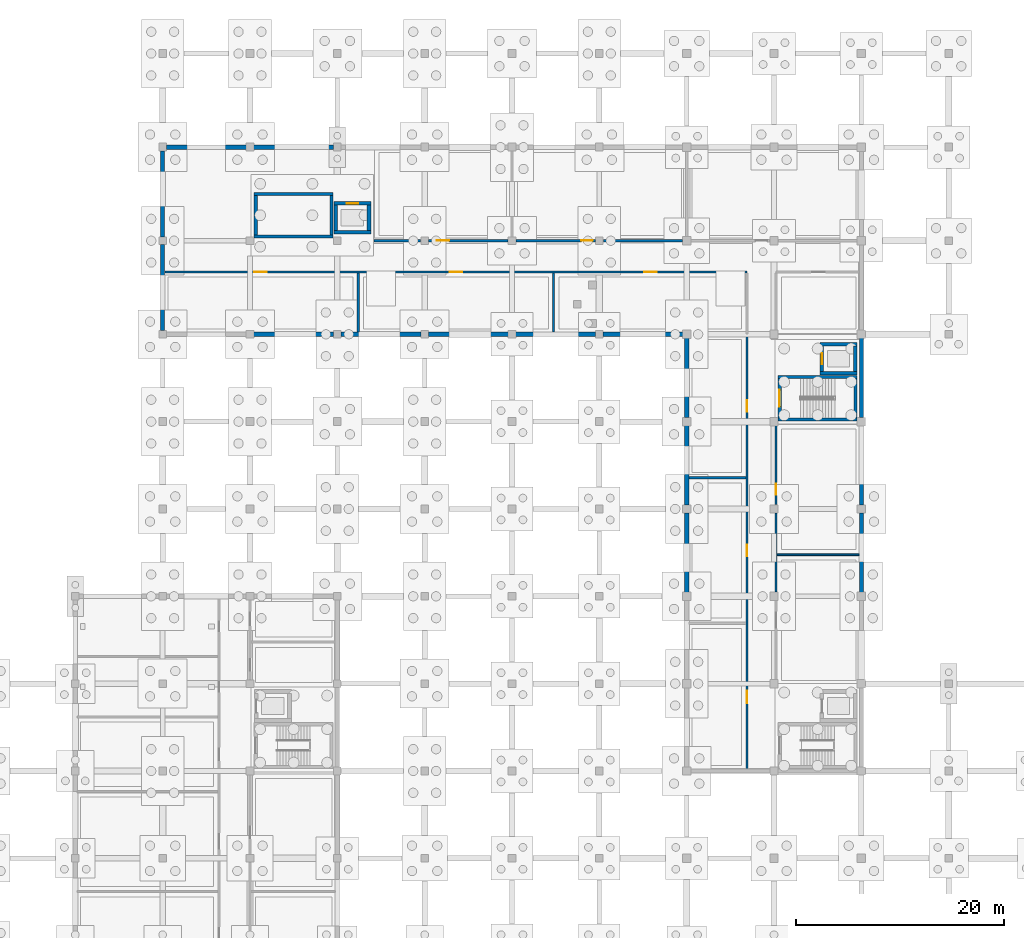
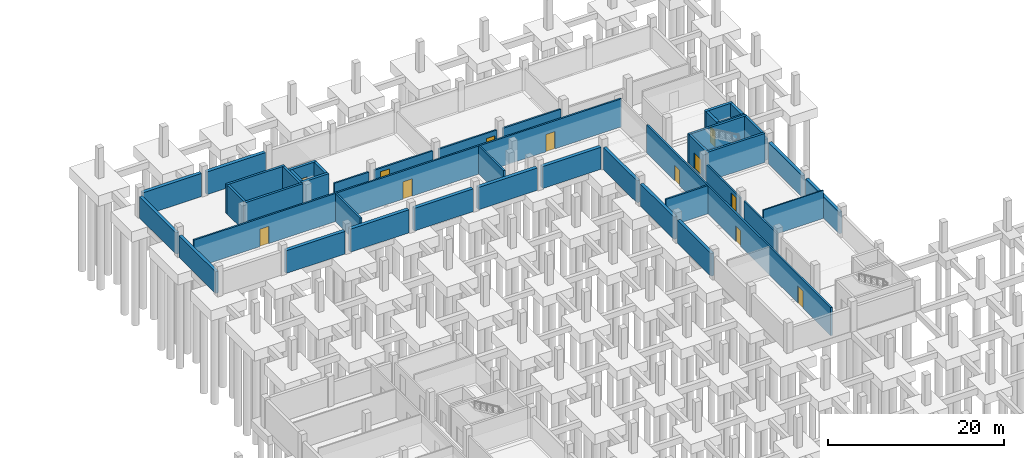
# One storey, part 14 of 20: 43 walls, 12 doors, 12 openings.
"""IFC4 building model written with IfcOpenShell, lengths in metres."""

from ifc_helpers import new_model, si_unit, direction, frame, frame_2d, origin, place, context, subcontext, project, spatial, rectangle, extrude, material, layer, layer_set, type_object, element, fill, save


model = new_model("IFC4")

# Units and contexts
model_context = context("Model", 3, precision=1e-05, world=origin(), true_north=direction((0.0, 1.0)))
body_context = subcontext(model_context, "Body", "Model", "MODEL_VIEW")
ifc_project = project(units=[si_unit("LENGTHUNIT", "METRE"), si_unit("AREAUNIT", "SQUARE_METRE"), si_unit("VOLUMEUNIT", "CUBIC_METRE"), si_unit("PLANEANGLEUNIT", "RADIAN"), si_unit("MASSUNIT", "GRAM", prefix="KILO")], contexts=[model_context])

# Site, building, storey
site_placement = place(None, origin())
site = spatial("IfcSite", under=ifc_project, at=site_placement, CompositionType="ELEMENT")
building_placement = place(site_placement, origin())
building = spatial("IfcBuilding", under=site, at=building_placement, Name="Vireocrest Preparatory School", CompositionType="ELEMENT")
storey_placement = place(building_placement, frame((0.0, 0.0, -4.199951171875)))
storey = spatial("IfcBuildingStorey", under=building, at=storey_placement, Name="B01", CompositionType="ELEMENT", Elevation=-4.199951171875)

# Walls
ifc_material_1 = material(Name="Concrete 45 MPa", Category="concrete")
ifc_layer_1 = layer(ifc_material_1, 0.39990234375)
ifc_layer_set_1 = layer_set([ifc_layer_1], Name="Concrete 45 MPa")
wall_type_1 = type_object("IfcWallType", Name="Basement RC Retaining Wall 400", PredefinedType="SHEAR", material=ifc_layer_set_1)
wall_1_placement = place(storey_placement, frame((109.199951171875, 60.97509765625, 0.0), z_axis=(0.0, 0.0, 1.0), x_axis=(0.0, 1.0, 0.0)))
element("IfcWall", 1, at=wall_1_placement, inside=storey, type_object=wall_type_1, Name="External Wall RW1 EW_B01_0018", PredefinedType="SHEAR", context=body_context, shape_type="SweptSolid", body=[
    extrude(rectangle(XDim=7.64990234375, YDim=0.39990234375, at=frame_2d((3.824951171875, 0.0))), origin(), (0.0, 0.0, 1.0), 3.0),
])
wall_2_placement = place(storey_placement, frame((109.199951171875, 69.375, 0.0), z_axis=(0.0, 0.0, 1.0), x_axis=(0.0, 1.0, 0.0)))
element("IfcWall", 2, at=wall_2_placement, inside=storey, type_object=wall_type_1, Name="External Wall RW1 EW_B01_0019", PredefinedType="SHEAR", context=body_context, shape_type="SweptSolid", body=[
    extrude(rectangle(XDim=7.64990234375, YDim=0.39990234375, at=frame_2d((3.824951171875, 0.0))), origin(), (0.0, 0.0, 1.0), 2.949951171875),
])
wall_3_placement = place(storey_placement, frame((109.199951171875, 77.77490234375, 0.0), z_axis=(0.0, 0.0, 1.0), x_axis=(0.0, 1.0, 0.0)))
element("IfcWall", 3, at=wall_3_placement, inside=storey, type_object=wall_type_1, Name="External Wall RW1 EW_B01_0020", PredefinedType="SHEAR", context=body_context, shape_type="SweptSolid", body=[
    extrude(rectangle(XDim=7.650146484375, YDim=0.39990234375, at=frame_2d((3.8251953125, 0.0))), origin(), (0.0, 0.0, 1.0), 2.89990234375),
])
wall_4_placement = place(storey_placement, frame((42.0, 86.14990234375, 0.0), z_axis=(0.0, 0.0, 1.0), x_axis=(0.0, 1.0, 0.0)))
element("IfcWall", 4, at=wall_4_placement, inside=storey, type_object=wall_type_1, Name="External Wall RW1 EW_B01_0031", PredefinedType="SHEAR", context=body_context, shape_type="SweptSolid", body=[
    extrude(rectangle(XDim=8.300048828125, YDim=0.39990234375, at=frame_2d((4.14990234375, 0.0))), origin(), (0.0, 0.0, 1.0), 3.0),
])
wall_5_placement = place(storey_placement, frame((42.0, 95.14990234375, 0.0), z_axis=(0.0, 0.0, 1.0), x_axis=(0.0, 1.0, 0.0)))
element("IfcWall", 5, at=wall_5_placement, inside=storey, type_object=wall_type_1, Name="External Wall RW1 EW_B01_0032", PredefinedType="SHEAR", context=body_context, shape_type="SweptSolid", body=[
    extrude(rectangle(XDim=8.300048828125, YDim=0.39990234375, at=frame_2d((4.14990234375, 0.0))), origin(), (0.0, 0.0, 1.0), 2.949951171875),
])
wall_6_placement = place(storey_placement, frame((92.39990234375, 60.97509765625, 0.0), z_axis=(0.0, 0.0, 1.0), x_axis=(0.0, 1.0, 0.0)))
element("IfcWall", 6, at=wall_6_placement, inside=storey, type_object=wall_type_1, Name="External Wall RW1 EW_B01_0041", PredefinedType="SHEAR", context=body_context, shape_type="SweptSolid", body=[
    extrude(rectangle(XDim=7.64990234375, YDim=0.39990234375, at=frame_2d((3.824951171875, 0.0))), origin(), (0.0, 0.0, 1.0), 3.14990234375),
])
wall_7_placement = place(storey_placement, frame((92.39990234375, 69.375, 0.0), z_axis=(0.0, 0.0, 1.0), x_axis=(0.0, 1.0, 0.0)))
element("IfcWall", 7, at=wall_7_placement, inside=storey, type_object=wall_type_1, Name="External Wall RW1 EW_B01_0042", PredefinedType="SHEAR", context=body_context, shape_type="SweptSolid", body=[
    extrude(rectangle(XDim=7.64990234375, YDim=0.39990234375, at=frame_2d((3.824951171875, 0.0))), origin(), (0.0, 0.0, 1.0), 3.099853515625),
])
wall_8_placement = place(storey_placement, frame((92.39990234375, 77.77490234375, 0.0), z_axis=(0.0, 0.0, 1.0), x_axis=(0.0, 1.0, 0.0)))
element("IfcWall", 8, at=wall_8_placement, inside=storey, type_object=wall_type_1, Name="External Wall RW1 EW_B01_0043", PredefinedType="SHEAR", context=body_context, shape_type="SweptSolid", body=[
    extrude(rectangle(XDim=7.650146484375, YDim=0.39990234375, at=frame_2d((3.8251953125, 0.0))), origin(), (0.0, 0.0, 1.0), 3.050048828125),
])
ifc_material_2 = material(Name="Gypsum board on cold-formed steel studs", Category="steel")
ifc_layer_2 = layer(ifc_material_2, 0.199951171875)
ifc_layer_set_2 = layer_set([ifc_layer_2], Name="Gypsum board on cold-formed steel studs")
wall_type_2 = type_object("IfcWallType", Name="Corridor One-Hour Fire Partition 200", PredefinedType="PARTITIONING", material=ifc_layer_set_2)
wall_9_placement = place(storey_placement, frame((101.0, 61.010009765625, 0.0), z_axis=(0.0, 0.0, 1.0), x_axis=(0.0, 1.0, 0.0)))
element("IfcWall", 9, at=wall_9_placement, inside=storey, type_object=wall_type_2, Name="Interior Partition W06 IW_B01_0032", PredefinedType="PARTITIONING", context=body_context, shape_type="SweptSolid", body=[
    extrude(rectangle(XDim=7.580078125, YDim=0.199951171875, at=frame_2d((3.7900390625, 0.0))), origin(), (0.0, 0.0, 1.0), 2.800048828125),
])

# Wall, opening, door
wall_10_placement = place(storey_placement, frame((101.0, 69.409912109375, 0.0), z_axis=(0.0, 0.0, 1.0), x_axis=(0.0, 1.0, 0.0)))
wall_10 = element("IfcWall", 10, at=wall_10_placement, inside=storey, type_object=wall_type_2, Name="Interior Partition W06 IW_B01_0033", PredefinedType="PARTITIONING", context=body_context, shape_type="SweptSolid", body=[
    extrude(rectangle(XDim=7.780029296875, YDim=0.199951171875, at=frame_2d((3.89013671875, 0.0))), origin(), (0.0, 0.0, 1.0), 2.699951171875),
])
opening_1_placement = place(wall_10_placement, frame((0.93994140625, 0.0, 0.0)))
opening_1 = element("IfcOpeningElement", 11, at=opening_1_placement, cuts=wall_10, Name="Opening D-B01-EPE02", PredefinedType="OPENING", context=body_context, shape_type="SweptSolid", body=[
    extrude(rectangle(XDim=1.10009765625, YDim=2.14990234375, at=frame_2d((0.550048828125, 1.074951171875))), frame((0.0, 0.10986328125, 0.0), z_axis=(0.0, -1.0, 0.0), x_axis=(1.0, 0.0, 0.0)), (0.0, 0.0, 1.0), 0.219970703125),
])
ifc_material_3 = material(Name="Painted galvanized hollow steel", Category="steel")
door_type_1 = type_object("IfcDoorType", Name="Prep and Store Fire Door 1100x2150", OperationType="NOTDEFINED", PredefinedType="DOOR", material=ifc_material_3)
door_1_placement = place(opening_1_placement, origin())
door_1 = element("IfcDoor", 12, at=door_1_placement, inside=storey, type_object=door_type_1, Name="Interior Door D-B01-EPE02", OperationType="SINGLE_SWING_LEFT", OverallHeight=2.14990234375, OverallWidth=1.10009765625, PredefinedType="DOOR", context=body_context, shape_type="SweptSolid", body=[
    extrude(rectangle(XDim=1.10009765625, YDim=2.14990234375, at=frame_2d((0.550048828125, 1.074951171875))), frame((0.0, 0.02490234375, 0.0), z_axis=(0.0, -1.0, 0.0), x_axis=(1.0, 0.0, 0.0)), (0.0, 0.0, 1.0), 0.050048828125),
])
fill(opening_1, door_1)

# Walls
ifc_layer_3 = layer(ifc_material_1, 0.449951171875)
ifc_layer_set_3 = layer_set([ifc_layer_3], Name="Concrete 45 MPa")
wall_type_3 = type_object("IfcWallType", Name="Deep Plant Basement RC Retaining Wall 450", PredefinedType="SHEAR", material=ifc_layer_set_3)
wall_11_placement = place(storey_placement, frame((42.35009765625, 103.800048828125, 0.0), z_axis=(0.0, 0.0, 1.0), x_axis=(1.0, 0.0, 0.0)))
element("IfcWall", 13, at=wall_11_placement, inside=storey, type_object=wall_type_3, Name="External Wall RW2 EW_B01_0023", PredefinedType="SHEAR", context=body_context, shape_type="SweptSolid", body=[
    extrude(rectangle(XDim=7.699951171875, YDim=0.449951171875, at=frame_2d((3.85009765625, 0.0))), origin(), (0.0, 0.0, 1.0), 3.199951171875),
])
for number, where, z_axis, x_axis, name in (
    (14, (50.75, 103.800048828125, 0.0), (0.0, 0.0, 1.0), (1.0, 0.0, 0.0), "External Wall RW2 EW_B01_0024"),
    (15, (50.75, 85.800048828125, 0.0), (0.0, 0.0, 1.0), (1.0, 0.0, 0.0), "External Wall RW2 EW_B01_0034"),
):
    element("IfcWall", number, at=place(storey_placement, frame(where, z_axis=z_axis, x_axis=x_axis)), inside=storey, type_object=wall_type_3, Name=name, PredefinedType="SHEAR", context=body_context, shape_type="SweptSolid", body=[
        extrude(rectangle(XDim=7.699951171875, YDim=0.449951171875, at=frame_2d((3.85009765625, 0.0))), origin(), (0.0, 0.0, 1.0), 3.14990234375),
    ])
wall_12_placement = place(storey_placement, frame((59.14990234375, 85.800048828125, 0.0), z_axis=(0.0, 0.0, 1.0), x_axis=(1.0, 0.0, 0.0)))
element("IfcWall", 16, at=wall_12_placement, inside=storey, type_object=wall_type_3, Name="External Wall RW2 EW_B01_0035", PredefinedType="SHEAR", context=body_context, shape_type="SweptSolid", body=[
    extrude(rectangle(XDim=7.7001953125, YDim=0.449951171875, at=frame_2d((3.85009765625, 0.0))), origin(), (0.0, 0.0, 1.0), 3.199951171875),
])
wall_13_placement = place(storey_placement, frame((67.550048828125, 85.800048828125, 0.0), z_axis=(0.0, 0.0, 1.0), x_axis=(1.0, 0.0, 0.0)))
element("IfcWall", 17, at=wall_13_placement, inside=storey, type_object=wall_type_3, Name="External Wall RW2 EW_B01_0036", PredefinedType="SHEAR", context=body_context, shape_type="SweptSolid", body=[
    extrude(rectangle(XDim=7.699951171875, YDim=0.449951171875, at=frame_2d((3.85009765625, 0.0))), origin(), (0.0, 0.0, 1.0), 3.14990234375),
])
wall_14_placement = place(storey_placement, frame((75.949951171875, 85.800048828125, 0.0), z_axis=(0.0, 0.0, 1.0), x_axis=(1.0, 0.0, 0.0)))
element("IfcWall", 18, at=wall_14_placement, inside=storey, type_object=wall_type_3, Name="External Wall RW2 EW_B01_0037", PredefinedType="SHEAR", context=body_context, shape_type="SweptSolid", body=[
    extrude(rectangle(XDim=7.699951171875, YDim=0.449951171875, at=frame_2d((3.85009765625, 0.0))), origin(), (0.0, 0.0, 1.0), 3.099853515625),
])
wall_15_placement = place(storey_placement, frame((84.35009765625, 85.800048828125, 0.0), z_axis=(0.0, 0.0, 1.0), x_axis=(1.0, 0.0, 0.0)))
element("IfcWall", 19, at=wall_15_placement, inside=storey, type_object=wall_type_3, Name="External Wall RW2 EW_B01_0038", PredefinedType="SHEAR", context=body_context, shape_type="SweptSolid", body=[
    extrude(rectangle(XDim=7.6748046875, YDim=0.449951171875, at=frame_2d((3.83740234375, 0.0))), origin(), (0.0, 0.0, 1.0), 3.050048828125),
])
ifc_material_4 = material(Name="Acoustic concrete masonry unitwork", Category="masonry")
ifc_layer_4 = layer(ifc_material_4, 0.219970703125)
ifc_layer_set_4 = layer_set([ifc_layer_4], Name="Acoustic concrete masonry unitwork")
wall_type_4 = type_object("IfcWallType", Name="Internal Acoustic Masonry Wall 220", PredefinedType="SOLIDWALL", material=ifc_layer_set_4)
for number, where, z_axis, x_axis, name in (
    (20, (60.800048828125, 86.030029296875, 0.0), (0.0, 0.0, 1.0), (0.0, 1.0, 0.0), "Interior Partition W07 IW_B01_0013"),
    (21, (79.60009765625, 86.030029296875, 0.0), (0.0, 0.0, 1.0), (0.0, 1.0, 0.0), "Interior Partition W07 IW_B01_0014"),
):
    element("IfcWall", number, at=place(storey_placement, frame(where, z_axis=z_axis, x_axis=x_axis)), inside=storey, type_object=wall_type_4, Name=name, PredefinedType="SOLIDWALL", context=body_context, shape_type="SweptSolid", body=[
        extrude(rectangle(XDim=5.655029296875, YDim=0.219970703125, at=frame_2d((2.82763671875, 0.0))), origin(), (0.0, 0.0, 1.0), 3.89990234375),
    ])

# Wall, openings, doors
wall_16_placement = place(storey_placement, frame((42.205078125, 91.800048828125, 0.0), z_axis=(0.0, 0.0, 1.0), x_axis=(1.0, 0.0, 0.0)))
wall_16 = element("IfcWall", 22, at=wall_16_placement, inside=storey, type_object=wall_type_4, Name="Interior Partition W07 IW_B01_0015", PredefinedType="SOLIDWALL", context=body_context, shape_type="SweptSolid", body=[
    extrude(rectangle(XDim=55.98486328125, YDim=0.219970703125, at=frame_2d((27.992431640625, 0.0))), origin(), (0.0, 0.0, 1.0), 3.89990234375),
])
opening_2_placement = place(wall_16_placement, frame((8.594970703125, 0.0, 0.0)))
opening_2 = element("IfcOpeningElement", 23, at=opening_2_placement, cuts=wall_16, Name="Opening D-B01-NP01", PredefinedType="OPENING", context=body_context, shape_type="SweptSolid", body=[
    extrude(rectangle(XDim=1.199951171875, YDim=2.39990234375, at=frame_2d((0.60009765625, 1.199951171875))), frame((0.0, 0.119873046875, 0.0), z_axis=(0.0, -1.0, 0.0), x_axis=(1.0, 0.0, 0.0)), (0.0, 0.0, 1.0), 0.239990234375),
])
opening_3_placement = place(wall_16_placement, frame((27.39501953125, 0.0, 0.0)))
opening_3 = element("IfcOpeningElement", 24, at=opening_3_placement, cuts=wall_16, Name="Opening D-B01-NP02", PredefinedType="OPENING", context=body_context, shape_type="SweptSolid", body=[
    extrude(rectangle(XDim=1.199951171875, YDim=2.39990234375, at=frame_2d((0.60009765625, 1.199951171875))), frame((0.0, 0.119873046875, 0.0), z_axis=(0.0, -1.0, 0.0), x_axis=(1.0, 0.0, 0.0)), (0.0, 0.0, 1.0), 0.239990234375),
])
opening_4_placement = place(wall_16_placement, frame((46.094970703125, 0.0, 0.0)))
opening_4 = element("IfcOpeningElement", 25, at=opening_4_placement, cuts=wall_16, Name="Opening D-B01-NP03", PredefinedType="OPENING", context=body_context, shape_type="SweptSolid", body=[
    extrude(rectangle(XDim=1.199951171875, YDim=2.39990234375, at=frame_2d((0.60009765625, 1.199951171875))), frame((0.0, 0.119873046875, 0.0), z_axis=(0.0, -1.0, 0.0), x_axis=(1.0, 0.0, 0.0)), (0.0, 0.0, 1.0), 0.239990234375),
])
door_type_2 = type_object("IfcDoorType", Name="Plant Room Steel Door 1200x2400", OperationType="NOTDEFINED", PredefinedType="DOOR", material=ifc_material_3)
door_2_placement = place(opening_2_placement, origin())
door_2 = element("IfcDoor", 26, at=door_2_placement, inside=storey, type_object=door_type_2, Name="Interior Door D-B01-NP01", OperationType="SINGLE_SWING_LEFT", OverallHeight=2.39990234375, OverallWidth=1.199951171875, PredefinedType="DOOR", context=body_context, shape_type="SweptSolid", body=[
    extrude(rectangle(XDim=1.199951171875, YDim=2.39990234375, at=frame_2d((0.60009765625, 1.199951171875))), frame((0.0, 0.02490234375, 0.0), z_axis=(0.0, -1.0, 0.0), x_axis=(1.0, 0.0, 0.0)), (0.0, 0.0, 1.0), 0.050048828125),
])
fill(opening_2, door_2)
door_3_placement = place(opening_3_placement, origin())
door_3 = element("IfcDoor", 27, at=door_3_placement, inside=storey, type_object=door_type_2, Name="Interior Door D-B01-NP02", OperationType="SINGLE_SWING_RIGHT", OverallHeight=2.39990234375, OverallWidth=1.199951171875, PredefinedType="DOOR", context=body_context, shape_type="SweptSolid", body=[
    extrude(rectangle(XDim=1.199951171875, YDim=2.39990234375, at=frame_2d((0.60009765625, 1.199951171875))), frame((0.0, 0.02490234375, 0.0), z_axis=(0.0, -1.0, 0.0), x_axis=(1.0, 0.0, 0.0)), (0.0, 0.0, 1.0), 0.050048828125),
])
fill(opening_3, door_3)
door_4_placement = place(opening_4_placement, origin())
door_4 = element("IfcDoor", 28, at=door_4_placement, inside=storey, type_object=door_type_2, Name="Interior Door D-B01-NP03", OperationType="SINGLE_SWING_LEFT", OverallHeight=2.39990234375, OverallWidth=1.199951171875, PredefinedType="DOOR", context=body_context, shape_type="SweptSolid", body=[
    extrude(rectangle(XDim=1.199951171875, YDim=2.39990234375, at=frame_2d((0.60009765625, 1.199951171875))), frame((0.0, 0.02490234375, 0.0), z_axis=(0.0, -1.0, 0.0), x_axis=(1.0, 0.0, 0.0)), (0.0, 0.0, 1.0), 0.050048828125),
])
fill(opening_4, door_4)

# Wall
wall_17_placement = place(storey_placement, frame((62.31005859375, 94.800048828125, 0.0), z_axis=(0.0, 0.0, 1.0), x_axis=(1.0, 0.0, 0.0)))
element("IfcWall", 29, at=wall_17_placement, inside=storey, type_object=wall_type_4, Name="Interior Partition W07 IW_B01_0021", PredefinedType="SOLIDWALL", context=body_context, shape_type="SweptSolid", body=[
    extrude(rectangle(XDim=4.5048828125, YDim=0.219970703125, at=frame_2d((2.25244140625, 0.0))), origin(), (0.0, 0.0, 1.0), 2.89990234375),
])

# Wall, opening, door
wall_18_placement = place(storey_placement, frame((67.5849609375, 94.800048828125, 0.0), z_axis=(0.0, 0.0, 1.0), x_axis=(1.0, 0.0, 0.0)))
wall_18 = element("IfcWall", 30, at=wall_18_placement, inside=storey, type_object=wall_type_4, Name="Interior Partition W07 IW_B01_0022", PredefinedType="SOLIDWALL", context=body_context, shape_type="SweptSolid", body=[
    extrude(rectangle(XDim=7.630126953125, YDim=0.219970703125, at=frame_2d((3.81494140625, 0.0))), origin(), (0.0, 0.0, 1.0), 2.89990234375),
])
opening_5_placement = place(wall_18_placement, frame((0.764892578125, 0.0, 0.0)))
opening_5 = element("IfcOpeningElement", 31, at=opening_5_placement, cuts=wall_18, Name="Opening D-B01-NPN01", PredefinedType="OPENING", context=body_context, shape_type="SweptSolid", body=[
    extrude(rectangle(XDim=1.199951171875, YDim=2.39990234375, at=frame_2d((0.60009765625, 1.199951171875))), frame((0.0, 0.119873046875, 0.0), z_axis=(0.0, -1.0, 0.0), x_axis=(1.0, 0.0, 0.0)), (0.0, 0.0, 1.0), 0.239990234375),
])
door_5_placement = place(opening_5_placement, origin())
door_5 = element("IfcDoor", 32, at=door_5_placement, inside=storey, type_object=door_type_2, Name="Interior Door D-B01-NPN01", OperationType="SINGLE_SWING_LEFT", OverallHeight=2.39990234375, OverallWidth=1.199951171875, PredefinedType="DOOR", context=body_context, shape_type="SweptSolid", body=[
    extrude(rectangle(XDim=1.199951171875, YDim=2.39990234375, at=frame_2d((0.60009765625, 1.199951171875))), frame((0.0, 0.02490234375, 0.0), z_axis=(0.0, -1.0, 0.0), x_axis=(1.0, 0.0, 0.0)), (0.0, 0.0, 1.0), 0.050048828125),
])
fill(opening_5, door_5)

wall_19_placement = place(storey_placement, frame((75.985107421875, 94.800048828125, 0.0), z_axis=(0.0, 0.0, 1.0), x_axis=(1.0, 0.0, 0.0)))
wall_19 = element("IfcWall", 33, at=wall_19_placement, inside=storey, type_object=wall_type_4, Name="Interior Partition W07 IW_B01_0023", PredefinedType="SOLIDWALL", context=body_context, shape_type="SweptSolid", body=[
    extrude(rectangle(XDim=7.6298828125, YDim=0.219970703125, at=frame_2d((3.81494140625, 0.0))), origin(), (0.0, 0.0, 1.0), 2.849853515625),
])
opening_6_placement = place(wall_19_placement, frame((6.280029296875, 0.0, 0.0)))
opening_6 = element("IfcOpeningElement", 34, at=opening_6_placement, cuts=wall_19, Name="Opening D-B01-NPN02", PredefinedType="OPENING", context=body_context, shape_type="SweptSolid", body=[
    extrude(rectangle(XDim=1.10009765625, YDim=2.14990234375, at=frame_2d((0.550048828125, 1.074951171875))), frame((0.0, 0.119873046875, 0.0), z_axis=(0.0, -1.0, 0.0), x_axis=(1.0, 0.0, 0.0)), (0.0, 0.0, 1.0), 0.239990234375),
])
door_6_placement = place(opening_6_placement, origin())
door_6 = element("IfcDoor", 35, at=door_6_placement, inside=storey, type_object=door_type_1, Name="Interior Door D-B01-NPN02", OperationType="SINGLE_SWING_RIGHT", OverallHeight=2.14990234375, OverallWidth=1.10009765625, PredefinedType="DOOR", context=body_context, shape_type="SweptSolid", body=[
    extrude(rectangle(XDim=1.10009765625, YDim=2.14990234375, at=frame_2d((0.550048828125, 1.074951171875))), frame((0.0, 0.02490234375, 0.0), z_axis=(0.0, -1.0, 0.0), x_axis=(1.0, 0.0, 0.0)), (0.0, 0.0, 1.0), 0.050048828125),
])
fill(opening_6, door_6)

# Walls
wall_20_placement = place(storey_placement, frame((84.385009765625, 94.800048828125, 0.0), z_axis=(0.0, 0.0, 1.0), x_axis=(1.0, 0.0, 0.0)))
element("IfcWall", 36, at=wall_20_placement, inside=storey, type_object=wall_type_4, Name="Interior Partition W07 IW_B01_0024", PredefinedType="SOLIDWALL", context=body_context, shape_type="SweptSolid", body=[
    extrude(rectangle(XDim=7.60498046875, YDim=0.219970703125, at=frame_2d((3.802490234375, 0.0))), origin(), (0.0, 0.0, 1.0), 2.800048828125),
])
wall_21_placement = place(storey_placement, frame((92.60498046875, 72.0, 0.0), z_axis=(0.0, 0.0, 1.0), x_axis=(1.0, 0.0, 0.0)))
element("IfcWall", 37, at=wall_21_placement, inside=storey, type_object=wall_type_4, Name="Interior Partition W07 IW_B01_0028", PredefinedType="SOLIDWALL", context=body_context, shape_type="SweptSolid", body=[
    extrude(rectangle(XDim=5.47998046875, YDim=0.219970703125, at=frame_2d((2.739990234375, 0.0))), origin(), (0.0, 0.0, 1.0), 3.89990234375),
])

# Wall, openings, doors
wall_22_placement = place(storey_placement, frame((98.199951171875, 44.0048828125, 0.0), z_axis=(0.0, 0.0, 1.0), x_axis=(0.0, 1.0, 0.0)))
wall_22 = element("IfcWall", 38, at=wall_22_placement, inside=storey, type_object=wall_type_4, Name="Interior Partition W07 IW_B01_0029", PredefinedType="SOLIDWALL", context=body_context, shape_type="SweptSolid", body=[
    extrude(rectangle(XDim=41.78515625, YDim=0.219970703125, at=frame_2d((20.892578125, 0.0))), origin(), (0.0, 0.0, 1.0), 3.89990234375),
])
opening_7_placement = place(wall_22_placement, frame((6.294921875, 0.0, 0.0)))
opening_7 = element("IfcOpeningElement", 39, at=opening_7_placement, cuts=wall_22, Name="Opening D-B01-EPW01", PredefinedType="OPENING", context=body_context, shape_type="SweptSolid", body=[
    extrude(rectangle(XDim=1.199951171875, YDim=2.39990234375, at=frame_2d((0.60009765625, 1.199951171875))), frame((0.0, 0.119873046875, 0.0), z_axis=(0.0, -1.0, 0.0), x_axis=(1.0, 0.0, 0.0)), (0.0, 0.0, 1.0), 0.239990234375),
])
opening_8_placement = place(wall_22_placement, frame((20.445068359375, 0.0, 0.0)))
opening_8 = element("IfcOpeningElement", 40, at=opening_8_placement, cuts=wall_22, Name="Opening D-B01-EPW02", PredefinedType="OPENING", context=body_context, shape_type="SweptSolid", body=[
    extrude(rectangle(XDim=1.10009765625, YDim=2.14990234375, at=frame_2d((0.550048828125, 1.074951171875))), frame((0.0, 0.119873046875, 0.0), z_axis=(0.0, -1.0, 0.0), x_axis=(1.0, 0.0, 0.0)), (0.0, 0.0, 1.0), 0.239990234375),
])
opening_9_placement = place(wall_22_placement, frame((34.344970703125, 0.0, 0.0)))
opening_9 = element("IfcOpeningElement", 41, at=opening_9_placement, cuts=wall_22, Name="Opening D-B01-EPW03", PredefinedType="OPENING", context=body_context, shape_type="SweptSolid", body=[
    extrude(rectangle(XDim=1.10009765625, YDim=2.14990234375, at=frame_2d((0.550048828125, 1.074951171875))), frame((0.0, 0.119873046875, 0.0), z_axis=(0.0, -1.0, 0.0), x_axis=(1.0, 0.0, 0.0)), (0.0, 0.0, 1.0), 0.239990234375),
])
door_7_placement = place(opening_7_placement, origin())
door_7 = element("IfcDoor", 42, at=door_7_placement, inside=storey, type_object=door_type_2, Name="Interior Door D-B01-EPW01", OperationType="SINGLE_SWING_RIGHT", OverallHeight=2.39990234375, OverallWidth=1.199951171875, PredefinedType="DOOR", context=body_context, shape_type="SweptSolid", body=[
    extrude(rectangle(XDim=1.199951171875, YDim=2.39990234375, at=frame_2d((0.60009765625, 1.199951171875))), frame((0.0, 0.02490234375, 0.0), z_axis=(0.0, -1.0, 0.0), x_axis=(1.0, 0.0, 0.0)), (0.0, 0.0, 1.0), 0.050048828125),
])
fill(opening_7, door_7)
door_8_placement = place(opening_8_placement, origin())
door_8 = element("IfcDoor", 43, at=door_8_placement, inside=storey, type_object=door_type_1, Name="Interior Door D-B01-EPW02", OperationType="SINGLE_SWING_LEFT", OverallHeight=2.14990234375, OverallWidth=1.10009765625, PredefinedType="DOOR", context=body_context, shape_type="SweptSolid", body=[
    extrude(rectangle(XDim=1.10009765625, YDim=2.14990234375, at=frame_2d((0.550048828125, 1.074951171875))), frame((0.0, 0.02490234375, 0.0), z_axis=(0.0, -1.0, 0.0), x_axis=(1.0, 0.0, 0.0)), (0.0, 0.0, 1.0), 0.050048828125),
])
fill(opening_8, door_8)
door_9_placement = place(opening_9_placement, origin())
door_9 = element("IfcDoor", 44, at=door_9_placement, inside=storey, type_object=door_type_1, Name="Interior Door D-B01-EPW03", OperationType="SINGLE_SWING_RIGHT", OverallHeight=2.14990234375, OverallWidth=1.10009765625, PredefinedType="DOOR", context=body_context, shape_type="SweptSolid", body=[
    extrude(rectangle(XDim=1.10009765625, YDim=2.14990234375, at=frame_2d((0.550048828125, 1.074951171875))), frame((0.0, 0.02490234375, 0.0), z_axis=(0.0, -1.0, 0.0), x_axis=(1.0, 0.0, 0.0)), (0.0, 0.0, 1.0), 0.050048828125),
])
fill(opening_9, door_9)

# Walls
ifc_layer_5 = layer(ifc_material_2, 0.159912109375)
ifc_layer_set_5 = layer_set([ifc_layer_5], Name="Gypsum board on cold-formed steel studs")
wall_type_5 = type_object("IfcWallType", Name="Laboratory Wet-Service Partition Wall 160", PredefinedType="PARTITIONING", material=ifc_layer_set_5)
wall_23_placement = place(storey_placement, frame((101.10498046875, 64.60009765625, 0.0), z_axis=(0.0, 0.0, 1.0), x_axis=(1.0, 0.0, 0.0)))
element("IfcWall", 45, at=wall_23_placement, inside=storey, type_object=wall_type_5, Name="Interior Partition W04 IW_B01_0030", PredefinedType="PARTITIONING", context=body_context, shape_type="SweptSolid", body=[
    extrude(rectangle(XDim=7.89013671875, YDim=0.159912109375, at=frame_2d((3.945068359375, 0.0))), origin(), (0.0, 0.0, 1.0), 3.89990234375),
])
ifc_layer_6 = layer(ifc_material_1, 0.35009765625)
ifc_layer_set_6 = layer_set([ifc_layer_6], Name="Concrete 45 MPa")
wall_type_6 = type_object("IfcWallType", Name="Two-Hour RC Lift Core Shear Wall 350", PredefinedType="SHEAR", material=ifc_layer_set_6)
wall_24_placement = place(storey_placement, frame((58.47509765625, 95.60009765625, 0.0), z_axis=(0.0, 0.0, 1.0), x_axis=(1.0, 0.0, 0.0)))
element("IfcWall", 46, at=wall_24_placement, inside=storey, type_object=wall_type_6, Name="Lift Core Shear Wall LF3 B01-S", PredefinedType="SHEAR", context=body_context, shape_type="SweptSolid", body=[
    extrude(rectangle(XDim=3.5498046875, YDim=0.35009765625, at=frame_2d((1.77490234375, 0.0))), origin(), (0.0, 0.0, 1.0), 3.919921875),
])

# Wall, opening, door
wall_25_placement = place(storey_placement, frame((58.47509765625, 98.39990234375, 0.0), z_axis=(0.0, 0.0, 1.0), x_axis=(1.0, 0.0, 0.0)))
wall_25 = element("IfcWall", 47, at=wall_25_placement, inside=storey, type_object=wall_type_6, Name="Lift Core Shear Wall LF3 B01-N", PredefinedType="SHEAR", context=body_context, shape_type="SweptSolid", body=[
    extrude(rectangle(XDim=3.5498046875, YDim=0.35009765625, at=frame_2d((1.77490234375, 0.0))), origin(), (0.0, 0.0, 1.0), 3.919921875),
])
opening_10_placement = place(wall_25_placement, frame((1.22509765625, 0.0, 0.0)))
opening_10 = element("IfcOpeningElement", 48, at=opening_10_placement, cuts=wall_25, Name="Opening LD-LF3-B01", PredefinedType="OPENING", context=body_context, shape_type="SweptSolid", body=[
    extrude(rectangle(XDim=1.10009765625, YDim=2.199951171875, at=frame_2d((0.550048828125, 1.10009765625))), frame((0.0, 0.18505859375, 0.0), z_axis=(0.0, -1.0, 0.0), x_axis=(1.0, 0.0, 0.0)), (0.0, 0.0, 1.0), 0.3701171875),
])
door_type_3 = type_object("IfcDoorType", Name="Lift Landing Sliding Door 1100x2200", OperationType="DOUBLE_DOOR_SLIDING", PredefinedType="DOOR", material=ifc_material_3)
door_10_placement = place(opening_10_placement, origin())
door_10 = element("IfcDoor", 49, at=door_10_placement, inside=storey, type_object=door_type_3, Name="Lift Landing Door LD-LF3-B01", OperationType="DOUBLE_DOOR_SLIDING", OverallHeight=2.199951171875, OverallWidth=1.10009765625, PredefinedType="DOOR", context=body_context, shape_type="SweptSolid", body=[
    extrude(rectangle(XDim=1.10009765625, YDim=2.199951171875, at=frame_2d((0.550048828125, 1.10009765625))), frame((0.0, 0.02490234375, 0.0), z_axis=(0.0, -1.0, 0.0), x_axis=(1.0, 0.0, 0.0)), (0.0, 0.0, 1.0), 0.050048828125),
])
fill(opening_10, door_10)

# Walls
for number, where, z_axis, x_axis, name in (
    (50, (58.64990234375, 95.77490234375, 0.0), (0.0, 0.0, 1.0), (0.0, 1.0, 0.0), "Lift Core Shear Wall LF3 B01-W"),
    (51, (61.85009765625, 95.77490234375, 0.0), (0.0, 0.0, 1.0), (0.0, 1.0, 0.0), "Lift Core Shear Wall LF3 B01-E"),
):
    element("IfcWall", number, at=place(storey_placement, frame(where, z_axis=z_axis, x_axis=x_axis)), inside=storey, type_object=wall_type_6, Name=name, PredefinedType="SHEAR", context=body_context, shape_type="SweptSolid", body=[
        extrude(rectangle(XDim=2.4501953125, YDim=0.35009765625, at=frame_2d((1.22509765625, 0.0))), origin(), (0.0, 0.0, 1.0), 3.919921875),
    ])
for number, where, z_axis, x_axis, name in (
    (52, (105.22509765625, 82.050048828125, 0.0), (0.0, 0.0, 1.0), (1.0, 0.0, 0.0), "Lift Core Shear Wall LF4 B01-S"),
    (53, (105.22509765625, 84.85009765625, 0.0), (0.0, 0.0, 1.0), (1.0, 0.0, 0.0), "Lift Core Shear Wall LF4 B01-N"),
):
    element("IfcWall", number, at=place(storey_placement, frame(where, z_axis=z_axis, x_axis=x_axis)), inside=storey, type_object=wall_type_6, Name=name, PredefinedType="SHEAR", context=body_context, shape_type="SweptSolid", body=[
        extrude(rectangle(XDim=3.5498046875, YDim=0.35009765625, at=frame_2d((1.77490234375, 0.0))), origin(), (0.0, 0.0, 1.0), 3.919921875),
    ])

# Wall, opening, door
wall_26_placement = place(storey_placement, frame((105.39990234375, 82.22509765625, 0.0), z_axis=(0.0, 0.0, 1.0), x_axis=(0.0, 1.0, 0.0)))
wall_26 = element("IfcWall", 54, at=wall_26_placement, inside=storey, type_object=wall_type_6, Name="Lift Core Shear Wall LF4 B01-W", PredefinedType="SHEAR", context=body_context, shape_type="SweptSolid", body=[
    extrude(rectangle(XDim=2.449951171875, YDim=0.35009765625, at=frame_2d((1.22509765625, 0.0))), origin(), (0.0, 0.0, 1.0), 3.919921875),
])
opening_11_placement = place(wall_26_placement, frame((0.675048828125, 0.0, 0.0)))
opening_11 = element("IfcOpeningElement", 55, at=opening_11_placement, cuts=wall_26, Name="Opening LD-LF4-B01", PredefinedType="OPENING", context=body_context, shape_type="SweptSolid", body=[
    extrude(rectangle(XDim=1.10009765625, YDim=2.199951171875, at=frame_2d((0.550048828125, 1.10009765625))), frame((0.0, 0.18505859375, 0.0), z_axis=(0.0, -1.0, 0.0), x_axis=(1.0, 0.0, 0.0)), (0.0, 0.0, 1.0), 0.3701171875),
])
door_11_placement = place(opening_11_placement, origin())
door_11 = element("IfcDoor", 56, at=door_11_placement, inside=storey, type_object=door_type_3, Name="Lift Landing Door LD-LF4-B01", OperationType="DOUBLE_DOOR_SLIDING", OverallHeight=2.199951171875, OverallWidth=1.10009765625, PredefinedType="DOOR", context=body_context, shape_type="SweptSolid", body=[
    extrude(rectangle(XDim=1.10009765625, YDim=2.199951171875, at=frame_2d((0.550048828125, 1.10009765625))), frame((0.0, 0.02490234375, 0.0), z_axis=(0.0, -1.0, 0.0), x_axis=(1.0, 0.0, 0.0)), (0.0, 0.0, 1.0), 0.050048828125),
])
fill(opening_11, door_11)

# Walls
wall_27_placement = place(storey_placement, frame((108.60009765625, 82.22509765625, 0.0), z_axis=(0.0, 0.0, 1.0), x_axis=(0.0, 1.0, 0.0)))
element("IfcWall", 57, at=wall_27_placement, inside=storey, type_object=wall_type_6, Name="Lift Core Shear Wall LF4 B01-E", PredefinedType="SHEAR", context=body_context, shape_type="SweptSolid", body=[
    extrude(rectangle(XDim=2.449951171875, YDim=0.35009765625, at=frame_2d((1.22509765625, 0.0))), origin(), (0.0, 0.0, 1.0), 3.919921875),
])
ifc_layer_7 = layer(ifc_material_1, 0.300048828125)
ifc_layer_set_7 = layer_set([ifc_layer_7], Name="Concrete 45 MPa")
wall_type_7 = type_object("IfcWallType", Name="Two-Hour RC Stair Shaft Shear Wall 300", PredefinedType="SHEAR", material=ifc_layer_set_7)
for number, where, z_axis, x_axis, name in (
    (58, (50.800048828125, 95.199951171875, 0.0), (0.0, 0.0, 1.0), (1.0, 0.0, 0.0), "Stair Core Shear Wall ST3 B01-S"),
    (59, (50.800048828125, 99.300048828125, 0.0), (0.0, 0.0, 1.0), (1.0, 0.0, 0.0), "Stair Core Shear Wall ST3 B01-N"),
):
    element("IfcWall", number, at=place(storey_placement, frame(where, z_axis=z_axis, x_axis=x_axis)), inside=storey, type_object=wall_type_7, Name=name, PredefinedType="SHEAR", context=body_context, shape_type="SweptSolid", body=[
        extrude(rectangle(XDim=7.599853515625, YDim=0.300048828125, at=frame_2d((3.7998046875, 0.0))), origin(), (0.0, 0.0, 1.0), 4.02490234375),
    ])
for number, where, z_axis, x_axis, name in (
    (60, (50.949951171875, 95.35009765625, 0.0), (0.0, 0.0, 1.0), (0.0, 1.0, 0.0), "Stair Core Shear Wall ST3 B01-W"),
    (61, (58.25, 95.35009765625, 0.0), (0.0, 0.0, 1.0), (0.0, 1.0, 0.0), "Stair Core Shear Wall ST3 B01-E"),
):
    element("IfcWall", number, at=place(storey_placement, frame(where, z_axis=z_axis, x_axis=x_axis)), inside=storey, type_object=wall_type_7, Name=name, PredefinedType="SHEAR", context=body_context, shape_type="SweptSolid", body=[
        extrude(rectangle(XDim=3.7998046875, YDim=0.300048828125, at=frame_2d((1.89990234375, 0.0))), origin(), (0.0, 0.0, 1.0), 4.02490234375),
    ])
for number, where, z_axis, x_axis, name in (
    (62, (101.199951171875, 77.60009765625, 0.0), (0.0, 0.0, 1.0), (1.0, 0.0, 0.0), "Stair Core Shear Wall ST4 B01-S"),
    (63, (101.199951171875, 81.699951171875, 0.0), (0.0, 0.0, 1.0), (1.0, 0.0, 0.0), "Stair Core Shear Wall ST4 B01-N"),
):
    element("IfcWall", number, at=place(storey_placement, frame(where, z_axis=z_axis, x_axis=x_axis)), inside=storey, type_object=wall_type_7, Name=name, PredefinedType="SHEAR", context=body_context, shape_type="SweptSolid", body=[
        extrude(rectangle(XDim=7.60009765625, YDim=0.300048828125, at=frame_2d((3.800048828125, 0.0))), origin(), (0.0, 0.0, 1.0), 4.02490234375),
    ])

# Wall, opening, door
wall_28_placement = place(storey_placement, frame((101.35009765625, 77.75, 0.0), z_axis=(0.0, 0.0, 1.0), x_axis=(0.0, 1.0, 0.0)))
wall_28 = element("IfcWall", 64, at=wall_28_placement, inside=storey, type_object=wall_type_7, Name="Stair Core Shear Wall ST4 B01-W", PredefinedType="SHEAR", context=body_context, shape_type="SweptSolid", body=[
    extrude(rectangle(XDim=3.800048828125, YDim=0.300048828125, at=frame_2d((1.89990234375, 0.0))), origin(), (0.0, 0.0, 1.0), 4.02490234375),
])
opening_12_placement = place(wall_28_placement, frame((1.10009765625, 0.0, 0.0)))
opening_12 = element("IfcOpeningElement", 65, at=opening_12_placement, cuts=wall_28, Name="Opening SD-ST4-B01", PredefinedType="OPENING", context=body_context, shape_type="SweptSolid", body=[
    extrude(rectangle(XDim=1.60009765625, YDim=2.199951171875, at=frame_2d((0.800048828125, 1.10009765625))), frame((0.0, 0.159912109375, 0.0), z_axis=(0.0, -1.0, 0.0), x_axis=(1.0, 0.0, 0.0)), (0.0, 0.0, 1.0), 0.320068359375),
])
door_type_4 = type_object("IfcDoorType", Name="Stair Core Lobby Fire Door 1600x2200", OperationType="DOUBLE_DOOR_SINGLE_SWING", PredefinedType="DOOR", material=ifc_material_3)
door_12_placement = place(opening_12_placement, origin())
door_12 = element("IfcDoor", 66, at=door_12_placement, inside=storey, type_object=door_type_4, Name="Stair Enclosure Fire Door SD-ST4-B01", OperationType="DOUBLE_DOOR_SINGLE_SWING", OverallHeight=2.199951171875, OverallWidth=1.60009765625, PredefinedType="DOOR", context=body_context, shape_type="SweptSolid", body=[
    extrude(rectangle(XDim=1.60009765625, YDim=2.199951171875, at=frame_2d((0.800048828125, 1.10009765625))), frame((0.0, 0.02490234375, 0.0), z_axis=(0.0, -1.0, 0.0), x_axis=(1.0, 0.0, 0.0)), (0.0, 0.0, 1.0), 0.050048828125),
])
fill(opening_12, door_12)

# Wall
wall_29_placement = place(storey_placement, frame((108.64990234375, 77.75, 0.0), z_axis=(0.0, 0.0, 1.0), x_axis=(0.0, 1.0, 0.0)))
element("IfcWall", 67, at=wall_29_placement, inside=storey, type_object=wall_type_7, Name="Stair Core Shear Wall ST4 B01-E", PredefinedType="SHEAR", context=body_context, shape_type="SweptSolid", body=[
    extrude(rectangle(XDim=3.800048828125, YDim=0.300048828125, at=frame_2d((1.89990234375, 0.0))), origin(), (0.0, 0.0, 1.0), 4.02490234375),
])

save(model, "model.ifc")
